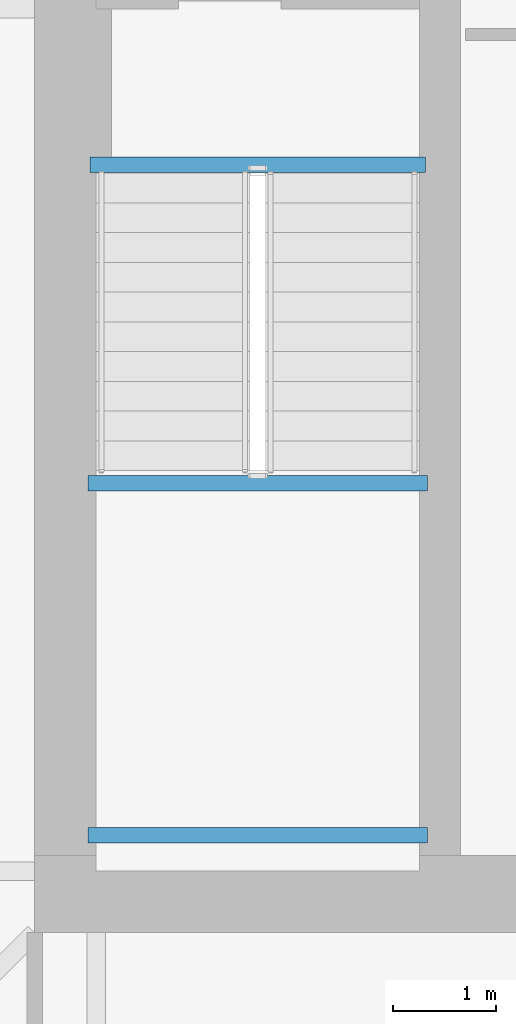
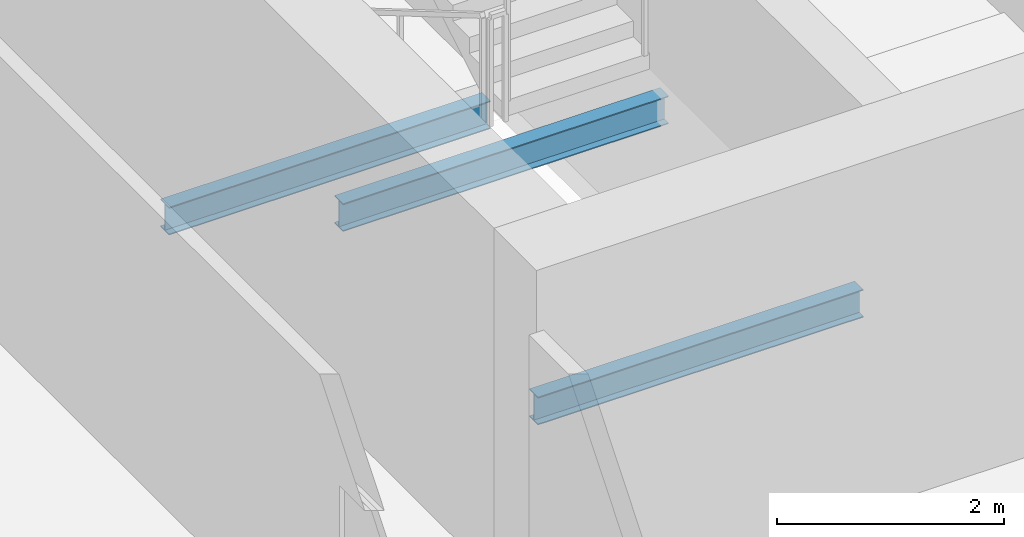
# One storey, part 7 of 23: 3 beams.
"""IFC4 building model written with IfcOpenShell, lengths in metres."""

from ifc_helpers import new_model, si_unit, direction, frame, origin, origin_2d, place, context, subcontext, project, spatial, i_section, extrude, material, material_profile, profile_set, type_object, element, save


model = new_model("IFC4")

# Units and contexts
model_context = context("Model", 3, precision=1e-05, world=origin(), true_north=direction((0.0, 1.0)))
body_context = subcontext(model_context, "Body", "Model", "MODEL_VIEW")
ifc_project = project(units=[si_unit("LENGTHUNIT", "METRE"), si_unit("AREAUNIT", "SQUARE_METRE"), si_unit("VOLUMEUNIT", "CUBIC_METRE"), si_unit("PLANEANGLEUNIT", "RADIAN"), si_unit("MASSUNIT", "GRAM", prefix="KILO")], contexts=[model_context])

# Site, building, storey
site_placement = place(None, origin())
site = spatial("IfcSite", under=ifc_project, at=site_placement, CompositionType="ELEMENT")
building_placement = place(site_placement, origin())
building = spatial("IfcBuilding", under=site, at=building_placement, Name="Belovzor Exchange Tower", CompositionType="ELEMENT")
storey_placement = place(building_placement, frame((0.0, 0.0, 276.60009765625)))
storey = spatial("IfcBuildingStorey", under=building, at=storey_placement, Name="L69", CompositionType="ELEMENT", Elevation=276.60009765625)

# Beams
ifc_material = material(Name="Steel S355", Category="steel")
ifc_material_profile = material_profile(ifc_material, i_section(OverallWidth=0.14990234375, OverallDepth=0.300048828125, WebThickness=0.007080078125, FlangeThickness=0.0107421875, at=origin_2d()))
ifc_profile_set = profile_set([ifc_material_profile], Name="Steel S355")
beam_type = type_object("IfcBeamType", Name="Secondary Trim Floor Joist IPE 300", PredefinedType="BEAM", material=ifc_profile_set)
for number, where, z_axis, x_axis, name in (
    (1, (20.320068359375, 24.179931640625, 1.52490234375), (1.0, 0.0, 0.0), (0.0, 1.0, 0.0), "FJ-300 Secondary Trim Floor Joist IPE 300"),
    (2, (20.320068359375, 20.75, 1.52490234375), (1.0, 0.0, 0.0), (0.0, 1.0, 0.0), "FJ-300 Secondary Trim Floor Joist IPE 300"),
):
    element("IfcBeam", number, at=place(storey_placement, frame(where, z_axis=z_axis, x_axis=x_axis)), inside=storey, type_object=beam_type, Name=name, PredefinedType="BEAM", context=body_context, shape_type="SweptSolid", body=[
        extrude(i_section(OverallWidth=0.14990234375, OverallDepth=0.300048828125, WebThickness=0.007080078125, FlangeThickness=0.0107421875, at=origin_2d()), origin(), (0.0, 0.0, 1.0), 3.309814453125),
    ])
beam_placement = place(storey_placement, frame((20.340087890625, 27.280029296875, -0.400146484375), z_axis=(1.0, 0.0, 0.0), x_axis=(0.0, 1.0, 0.0)))
element("IfcBeam", 3, at=beam_placement, inside=storey, type_object=beam_type, Name="FJ-300 Secondary Trim Floor Joist IPE 300", PredefinedType="BEAM", context=body_context, shape_type="SweptSolid", body=[
    extrude(i_section(OverallWidth=0.14990234375, OverallDepth=0.300048828125, WebThickness=0.007080078125, FlangeThickness=0.0107421875, at=origin_2d()), origin(), (0.0, 0.0, 1.0), 3.27001953125),
])

save(model, "model.ifc")
